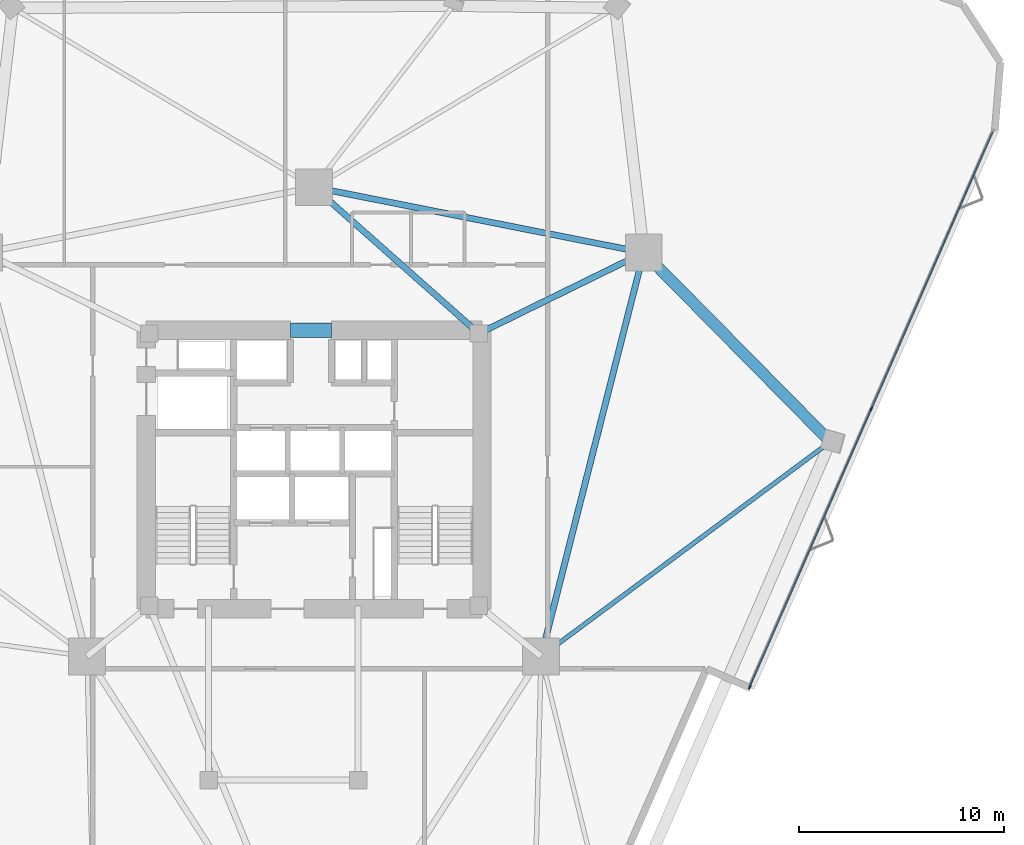
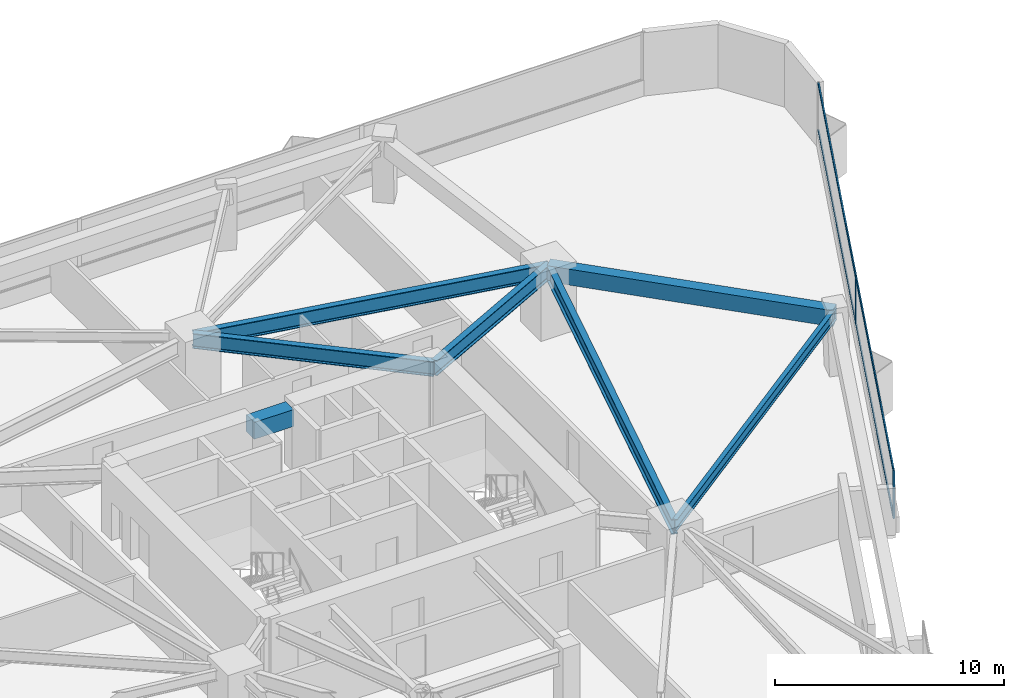
# One storey, part 6 of 14: 7 beams, 6 members, 1 element without a shape of its own.
"""IFC4 building model written with IfcOpenShell, lengths in metres."""

from ifc_helpers import new_model, si_unit, direction, frame, origin, origin_2d, place, context, subcontext, project, spatial, rectangle, i_section, extrude, material, layer, layer_set, material_profile, profile_set, type_object, element, aggregate, save


model = new_model("IFC4")

# Units and contexts
model_context = context("Model", 3, precision=1e-05, world=origin(), true_north=direction((0.0, 1.0)))
body_context = subcontext(model_context, "Body", "Model", "MODEL_VIEW")
ifc_project = project(units=[si_unit("LENGTHUNIT", "METRE"), si_unit("AREAUNIT", "SQUARE_METRE"), si_unit("VOLUMEUNIT", "CUBIC_METRE"), si_unit("PLANEANGLEUNIT", "RADIAN"), si_unit("MASSUNIT", "GRAM", prefix="KILO")], contexts=[model_context])

# Site, building, storey
site_placement = place(None, origin())
site = spatial("IfcSite", under=ifc_project, at=site_placement, CompositionType="ELEMENT")
building_placement = place(site_placement, origin())
building = spatial("IfcBuilding", under=site, at=building_placement, Name="Talyreon Biosciences Tower", CompositionType="ELEMENT")
storey_placement = place(building_placement, frame((0.0, 0.0, 48.35009765625)))
storey = spatial("IfcBuildingStorey", under=building, at=storey_placement, Name="L12", CompositionType="ELEMENT", Elevation=48.35009765625)

# Curtain wall, members
ifc_material_1 = material(Name="Thermally broken aluminium and low-E glazing", Category="aluminium")
ifc_layer = layer(ifc_material_1, 0.205078125)
ifc_layer_set = layer_set([ifc_layer], Name="Thermally broken aluminium and low-E glazing")
curtain_wall_type = type_object("IfcCurtainWallType", Name="CurtainWall_SkyGardenLoggia", PredefinedType="NOTDEFINED", material=ifc_layer_set)
curtain_wall_placement = place(storey_placement, origin())
curtain_wall = element("IfcCurtainWall", 1, at=curtain_wall_placement, inside=storey, type_object=curtain_wall_type, Name="L12 Unitised Curtain Wall FCW-L12-07", PredefinedType="NOTDEFINED")
ifc_material_2 = material(Name="Anodised thermally broken aluminium", Category="aluminium")
ifc_material_profile_1 = material_profile(ifc_material_2, rectangle(XDim=0.074951171875, YDim=0.2099609375, at=origin_2d()), Name="ALUM MULLION 75x210")
ifc_profile_set_1 = profile_set([ifc_material_profile_1], Name="Anodised thermally broken aluminium")
member_type_1 = type_object("IfcMemberType", Name="CWMullion_75x210", PredefinedType="MULLION", material=ifc_profile_set_1)
member_1_placement = place(storey_placement, frame((93.2138671875, 70.96240234375, 0.809814453125), z_axis=(0.0, 0.0, 1.0), x_axis=(0.91603505667, -0.401098211105, 0.0)))
member_1 = element("IfcMember", 2, at=member_1_placement, type_object=member_type_1, Name="CW7 mullion 2", PredefinedType="MULLION", context=body_context, shape_type="SweptSolid", body=[
    extrude(rectangle(XDim=0.074951171875, YDim=0.2099609375, at=origin_2d()), origin(), (0.0, 0.0, 1.0), 2.565185546875),
])
member_2_placement = place(storey_placement, frame((87.271728515625, 57.39208984375, 0.809814453125), z_axis=(0.0, 0.0, 1.0), x_axis=(0.91603505667, -0.401098211105, 0.0)))
member_2 = element("IfcMember", 3, at=member_2_placement, type_object=member_type_1, Name="CW7 mullion 3", PredefinedType="MULLION", context=body_context, shape_type="SweptSolid", body=[
    extrude(rectangle(XDim=0.074951171875, YDim=0.2099609375, at=origin_2d()), origin(), (0.0, 0.0, 1.0), 2.565185546875),
])
ifc_material_profile_2 = material_profile(ifc_material_2, rectangle(XDim=0.06494140625, YDim=0.139892578125, at=origin_2d()), Name="ALUM TRANSOM 65x140")
ifc_profile_set_2 = profile_set([ifc_material_profile_2], Name="Anodised thermally broken aluminium")
member_type_2 = type_object("IfcMemberType", Name="CWTransom_65x140", PredefinedType="USERDEFINED", material=ifc_profile_set_2)
member_3_placement = place(storey_placement, frame((99.140625, 84.498291015625, 0.84228515625), z_axis=(-0.401102089825, -0.916033358311, 0.0), x_axis=(0.916033358311, -0.401102089825, 0.0)))
member_3 = element("IfcMember", 4, at=member_3_placement, type_object=member_type_2, Name="CW7 transom 1.1", ObjectType="TRANSOM", PredefinedType="USERDEFINED", context=body_context, shape_type="SweptSolid", body=[
    extrude(rectangle(XDim=0.06494140625, YDim=0.139892578125, at=origin_2d()), origin(), (0.0, 0.0, 1.0), 14.739013671875),
])
member_4_placement = place(storey_placement, frame((99.140625, 84.498291015625, 3.34228515625), z_axis=(-0.401102089825, -0.916033358311, 0.0), x_axis=(0.916033358311, -0.401102089825, 0.0)))
member_4 = element("IfcMember", 5, at=member_4_placement, type_object=member_type_2, Name="CW7 transom 1.2", ObjectType="TRANSOM", PredefinedType="USERDEFINED", context=body_context, shape_type="SweptSolid", body=[
    extrude(rectangle(XDim=0.06494140625, YDim=0.139892578125, at=origin_2d()), origin(), (0.0, 0.0, 1.0), 14.739013671875),
])
member_5_placement = place(storey_placement, frame((93.19873046875, 70.927978515625, 0.84228515625), z_axis=(-0.401102089825, -0.916033358311, 0.0), x_axis=(0.916033358311, -0.401102089825, 0.0)))
member_5 = element("IfcMember", 6, at=member_5_placement, type_object=member_type_2, Name="CW7 transom 2.1", ObjectType="TRANSOM", PredefinedType="USERDEFINED", context=body_context, shape_type="SweptSolid", body=[
    extrude(rectangle(XDim=0.06494140625, YDim=0.139892578125, at=origin_2d()), origin(), (0.0, 0.0, 1.0), 14.739013671875),
])
member_6_placement = place(storey_placement, frame((93.19873046875, 70.927978515625, 3.34228515625), z_axis=(-0.401102089825, -0.916033358311, 0.0), x_axis=(0.916033358311, -0.401102089825, 0.0)))
member_6 = element("IfcMember", 7, at=member_6_placement, type_object=member_type_2, Name="CW7 transom 2.2", ObjectType="TRANSOM", PredefinedType="USERDEFINED", context=body_context, shape_type="SweptSolid", body=[
    extrude(rectangle(XDim=0.06494140625, YDim=0.139892578125, at=origin_2d()), origin(), (0.0, 0.0, 1.0), 14.739013671875),
])
aggregate(curtain_wall, [member_1, member_2, member_3, member_4, member_5, member_6])

# Beams
ifc_material_3 = material(Name="Concrete C60/75", Category="concrete")
ifc_material_profile_3 = material_profile(ifc_material_3, rectangle(XDim=0.699951171875, YDim=0.89990234375, at=origin_2d()), Name="RCB 700x900")
ifc_profile_set_3 = profile_set([ifc_material_profile_3], Name="Concrete C60/75")
beam_type_1 = type_object("IfcBeamType", Name="CoreCouplingLintel_700x900", PredefinedType="LINTEL", material=ifc_profile_set_3)
beam_1_placement = place(storey_placement, frame((64.85009765625, 74.800048828125, 2.9248046875), z_axis=(1.0, 0.0, 0.0), x_axis=(0.0, 1.0, 0.0)))
element("IfcBeam", 8, at=beam_1_placement, inside=storey, type_object=beam_type_1, Name="L12 Core Coupling Lintel", PredefinedType="LINTEL", context=body_context, shape_type="SweptSolid", body=[
    extrude(rectangle(XDim=0.699951171875, YDim=0.89990234375, at=origin_2d()), origin(), (0.0, 0.0, 1.0), 2.0),
])
ifc_material_4 = material(Name="Precast concrete C45/55", Category="concrete")
ifc_material_profile_4 = material_profile(ifc_material_4, rectangle(XDim=0.550048828125, YDim=0.85009765625, at=origin_2d()), Name="RCB 550x850")
ifc_profile_set_4 = profile_set([ifc_material_profile_4], Name="Precast concrete C45/55")
beam_type_2 = type_object("IfcBeamType", Name="ExpressedSpandrel_550x850", PredefinedType="SPANDREL", material=ifc_profile_set_4)
beam_2_placement = place(storey_placement, frame((91.212158203125, 69.364501953125, 2.949951171875), z_axis=(-0.702300518704, 0.711880594923, 0.0), x_axis=(-0.711880594923, -0.702300518704, 0.0)))
element("IfcBeam", 9, at=beam_2_placement, inside=storey, type_object=beam_type_2, Name="L12 Expressed Horizontal Concrete Spandrel 04", PredefinedType="SPANDREL", context=body_context, shape_type="SweptSolid", body=[
    extrude(rectangle(XDim=0.550048828125, YDim=0.85009765625, at=origin_2d()), origin(), (0.0, 0.0, 1.0), 12.971435546875),
])
ifc_material_5 = material(Name="Steel SM355", Category="steel")
ifc_material_profile_5 = material_profile(ifc_material_5, i_section(OverallWidth=0.300048828125, OverallDepth=0.800048828125, WebThickness=0.017578125, FlangeThickness=0.032958984375, FilletRadius=0.030029296875, at=origin_2d()), Name="HE800B")
ifc_profile_set_5 = profile_set([ifc_material_profile_5], Name="Steel SM355")
beam_type_3 = type_object("IfcBeamType", Name="SteelGirder_HE800B", PredefinedType="BEAM", material=ifc_profile_set_5)
beam_3_placement = place(storey_placement, frame((77.086181640625, 58.88037109375, 2.974853515625), z_axis=(0.246537082299, 0.969133358755, 0.0), x_axis=(-0.969133358755, 0.246537082299, 0.0)))
element("IfcBeam", 10, at=beam_3_placement, inside=storey, type_object=beam_type_3, Name="L12 Mega-Ring Girder 2", PredefinedType="BEAM", context=body_context, shape_type="SweptSolid", body=[
    extrude(i_section(OverallWidth=0.300048828125, OverallDepth=0.800048828125, WebThickness=0.017578125, FlangeThickness=0.032958984375, FilletRadius=0.030029296875, at=origin_2d()), origin(), (0.0, 0.0, 1.0), 20.34619140625),
])
beam_4_placement = place(storey_placement, frame((82.102294921875, 78.5986328125, 2.974853515625), z_axis=(-0.980933730698, 0.194342522311, 0.0), x_axis=(-0.194342522311, -0.980933730698, 0.0)))
element("IfcBeam", 11, at=beam_4_placement, inside=storey, type_object=beam_type_3, Name="L12 Mega-Ring Girder 3", PredefinedType="BEAM", context=body_context, shape_type="SweptSolid", body=[
    extrude(i_section(OverallWidth=0.300048828125, OverallDepth=0.800048828125, WebThickness=0.017578125, FlangeThickness=0.032958984375, FilletRadius=0.030029296875, at=origin_2d()), origin(), (0.0, 0.0, 1.0), 16.415283203125),
])
beam_5_placement = place(storey_placement, frame((74.050048828125, 74.64990234375, 2.974853515625), z_axis=(0.897852360314, 0.440296648952, 0.0), x_axis=(-0.440296648952, 0.897852360314, 0.0)))
element("IfcBeam", 12, at=beam_5_placement, inside=storey, type_object=beam_type_3, Name="L12 Radial Primary Girder 3", PredefinedType="BEAM", context=body_context, shape_type="SweptSolid", body=[
    extrude(i_section(OverallWidth=0.300048828125, OverallDepth=0.800048828125, WebThickness=0.017578125, FlangeThickness=0.032958984375, FilletRadius=0.030029296875, at=origin_2d()), origin(), (0.0, 0.0, 1.0), 8.96826171875),
])
beam_6_placement = place(storey_placement, frame((74.050048828125, 74.64990234375, 2.974853515625), z_axis=(-0.748178733955, 0.663497235908, 0.0), x_axis=(-0.663497235908, -0.748178733955, 0.0)))
element("IfcBeam", 13, at=beam_6_placement, inside=storey, type_object=beam_type_3, Name="L12 Radial Primary Girder 4", PredefinedType="BEAM", context=body_context, shape_type="SweptSolid", body=[
    extrude(i_section(OverallWidth=0.300048828125, OverallDepth=0.800048828125, WebThickness=0.017578125, FlangeThickness=0.032958984375, FilletRadius=0.030029296875, at=origin_2d()), origin(), (0.0, 0.0, 1.0), 10.759521484375),
])
ifc_material_profile_6 = material_profile(ifc_material_5, i_section(OverallWidth=0.219970703125, OverallDepth=0.60009765625, WebThickness=0.011962890625, FlangeThickness=0.01904296875, FilletRadius=0.02392578125, at=origin_2d()), Name="IPE600")
ifc_profile_set_6 = profile_set([ifc_material_profile_6], Name="Steel SM355")
beam_type_4 = type_object("IfcBeamType", Name="SteelJoist_IPE600", PredefinedType="JOIST", material=ifc_profile_set_6)
beam_7_placement = place(storey_placement, frame((77.086181640625, 58.88037109375, 3.074951171875), z_axis=(0.803000971633, 0.595977717332, 0.0), x_axis=(-0.595977717332, 0.803000971633, 0.0)))
element("IfcBeam", 14, at=beam_7_placement, inside=storey, type_object=beam_type_4, Name="L12 Radial Composite Floor Joist PC-SE2", PredefinedType="JOIST", context=body_context, shape_type="SweptSolid", body=[
    extrude(i_section(OverallWidth=0.219970703125, OverallDepth=0.60009765625, WebThickness=0.011962890625, FlangeThickness=0.01904296875, FilletRadius=0.02392578125, at=origin_2d()), origin(), (0.0, 0.0, 1.0), 17.591552734375),
])

save(model, "model.ifc")
